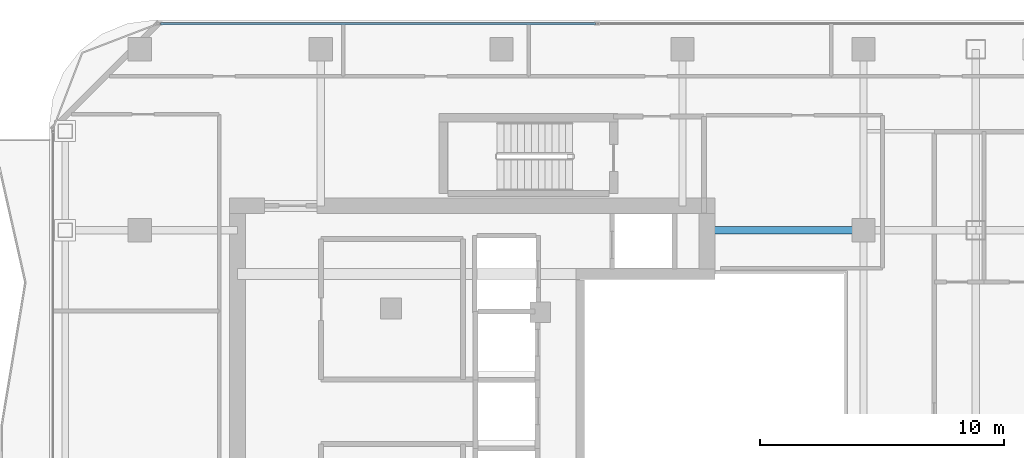
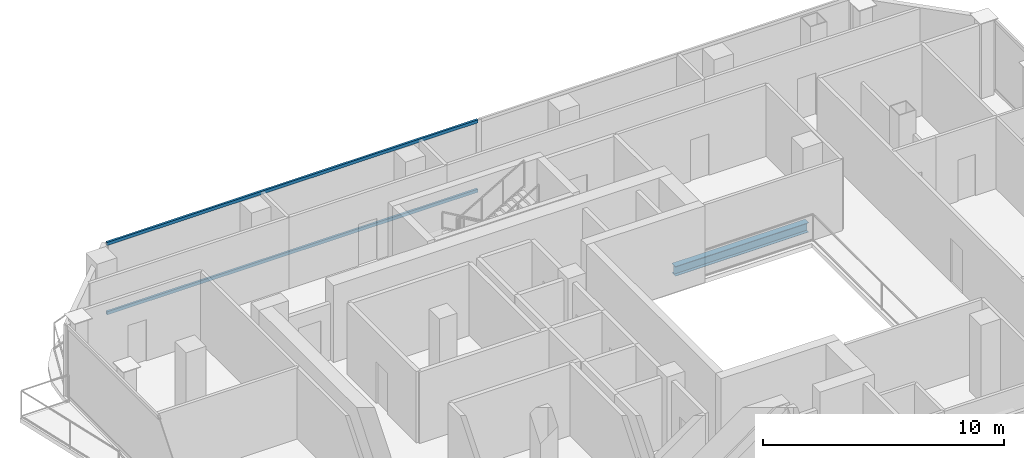
# One storey, part 15 of 26: 2 members, 1 beam, 1 element without a shape of its own.
"""IFC4 building model written with IfcOpenShell, lengths in metres."""

from ifc_helpers import new_model, si_unit, direction, frame, origin, origin_2d, place, context, subcontext, project, spatial, hollow_rectangle, i_section, extrude, material, layer, layer_set, material_profile, profile_set, type_object, element, aggregate, save


model = new_model("IFC4")

# Units and contexts
model_context = context("Model", 3, precision=1e-05, world=origin(), true_north=direction((0.0, 1.0)))
body_context = subcontext(model_context, "Body", "Model", "MODEL_VIEW")
ifc_project = project(units=[si_unit("LENGTHUNIT", "METRE"), si_unit("AREAUNIT", "SQUARE_METRE"), si_unit("VOLUMEUNIT", "CUBIC_METRE"), si_unit("PLANEANGLEUNIT", "RADIAN"), si_unit("MASSUNIT", "GRAM", prefix="KILO")], contexts=[model_context])

# Site, building, storey
site_placement = place(None, origin())
site = spatial("IfcSite", under=ifc_project, at=site_placement, CompositionType="ELEMENT")
building_placement = place(site_placement, origin())
building = spatial("IfcBuilding", under=site, at=building_placement, Name="Khorvyn Point Tower", CompositionType="ELEMENT")
storey_placement = place(building_placement, frame((0.0, 0.0, 250.800048828125)))
storey = spatial("IfcBuildingStorey", under=building, at=storey_placement, Name="L61", CompositionType="ELEMENT", Elevation=250.800048828125)

# Curtain wall, members
ifc_material_1 = material(Name="Anodised aluminium 6063-T6 and laminated Low-E glass", Category="aluminium")
ifc_layer = layer(ifc_material_1, 0.18994140625)
ifc_layer_set = layer_set([ifc_layer], Name="Stick-Built Acoustic Curtain Wall CW-SYS-03")
curtain_wall_type = type_object("IfcCurtainWallType", Name="Stick-Built Acoustic Curtain Wall CW-SYS-03", PredefinedType="NOTDEFINED", material=ifc_layer_set)
curtain_wall_placement = place(storey_placement, origin())
curtain_wall = element("IfcCurtainWall", 1, at=curtain_wall_placement, inside=storey, type_object=curtain_wall_type, Name="Curtain Wall", PredefinedType="NOTDEFINED")
ifc_material_2 = material(Name="Anodised aluminium 6063-T6", Category="aluminium")
ifc_material_profile_1 = material_profile(ifc_material_2, hollow_rectangle(XDim=0.10009765625, YDim=0.159912109375, WallThickness=0.00439453125, at=origin_2d()))
ifc_profile_set_1 = profile_set([ifc_material_profile_1], Name="Anodised aluminium 6063-T6 ALU-TRN-100x160")
member_type = type_object("IfcMemberType", Name="Anodised Aluminium 6063-T6 Transom ALU-TRN-100x160", PredefinedType="USERDEFINED", material=ifc_profile_set_1)
member_1_placement = place(storey_placement, frame((-13.949951171875, 15.85009765625, 0.050048828125), z_axis=(1.0, 0.0, 0.0), x_axis=(0.0, 1.0, 0.0)))
member_1 = element("IfcMember", 2, at=member_1_placement, type_object=member_type, Name="Transom", ObjectType="TRANSOM", PredefinedType="USERDEFINED", context=body_context, shape_type="SweptSolid", body=[
    extrude(hollow_rectangle(XDim=0.10009765625, YDim=0.159912109375, WallThickness=0.00439453125, at=origin_2d()), origin(), (0.0, 0.0, 1.0), 17.800048828125),
])
member_2_placement = place(storey_placement, frame((-13.949951171875, 15.85009765625, 3.570068359375), z_axis=(1.0, 0.0, 0.0), x_axis=(0.0, 1.0, 0.0)))
member_2 = element("IfcMember", 3, at=member_2_placement, type_object=member_type, Name="Transom", ObjectType="TRANSOM", PredefinedType="USERDEFINED", context=body_context, shape_type="SweptSolid", body=[
    extrude(hollow_rectangle(XDim=0.10009765625, YDim=0.159912109375, WallThickness=0.00439453125, at=origin_2d()), origin(), (0.0, 0.0, 1.0), 17.800048828125),
])
aggregate(curtain_wall, [member_1, member_2])

# Beam
ifc_material_3 = material(Name="Steel S355", Category="steel")
ifc_material_profile_2 = material_profile(ifc_material_3, i_section(OverallWidth=0.300048828125, OverallDepth=0.488037109375, WebThickness=0.010986328125, FlangeThickness=0.01806640625, at=origin_2d()))
ifc_profile_set_2 = profile_set([ifc_material_profile_2], Name="Steel S355 H488x300x11x18")
beam_type = type_object("IfcBeamType", Name="Steel S355 Spandrel H488x300x11x18", PredefinedType="SPANDREL", material=ifc_profile_set_2)
beam_placement = place(storey_placement, frame((8.39990234375, 7.39990234375, -0.464111328125), z_axis=(1.0, 0.0, 0.0), x_axis=(0.0, 1.0, 0.0)))
element("IfcBeam", 4, at=beam_placement, inside=storey, type_object=beam_type, Name="Beam", PredefinedType="SPANDREL", context=body_context, shape_type="SweptSolid", body=[
    extrude(i_section(OverallWidth=0.300048828125, OverallDepth=0.488037109375, WebThickness=0.010986328125, FlangeThickness=0.01806640625, at=origin_2d()), origin(), (0.0, 0.0, 1.0), 6.400146484375),
])

save(model, "model.ifc")
